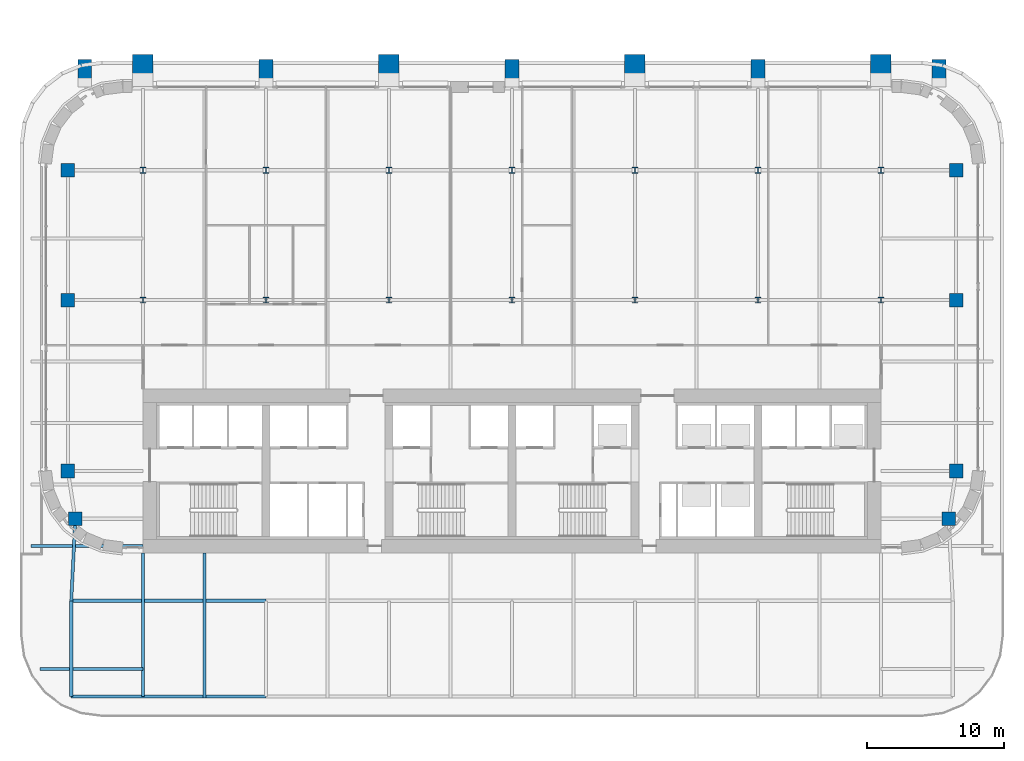
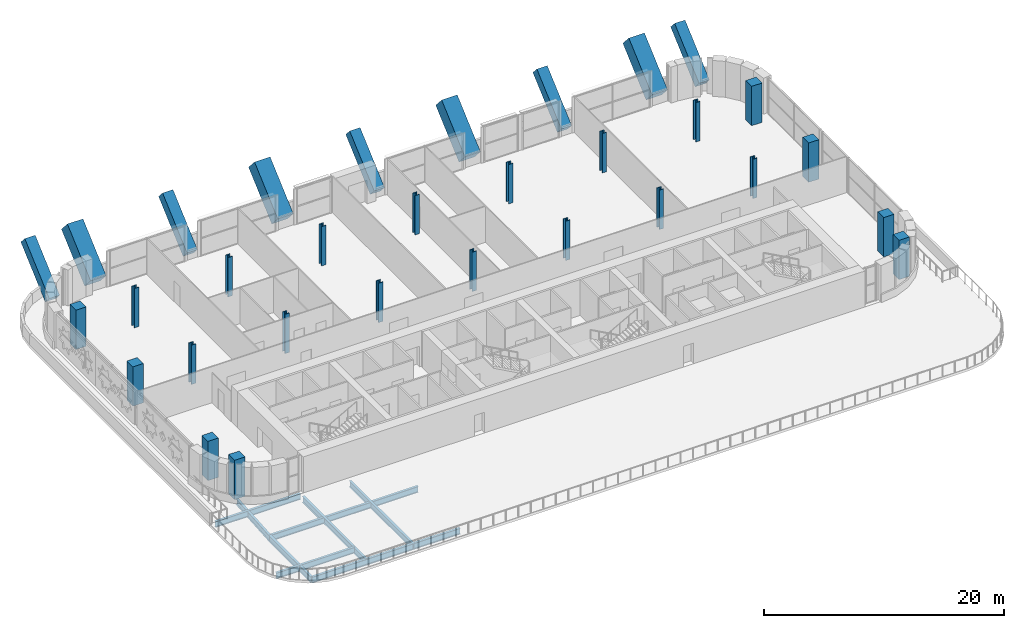
# One storey, part 1 of 26: 31 columns, 8 beams.
"""IFC4 building model written with IfcOpenShell, lengths in metres."""

import ifcopenshell
import ifcopenshell.guid

model = None  # the IFC model being written
_history = None  # IfcOwnerHistory: only IFC2X3 demands one
_inside = {}  # id of a spatial element -> (the spatial element, [elements in it])
_under = {}  # id of a project, library or spatial element -> (it, [spatial elements below it])
_declared = {}  # id of a project -> (the project, [libraries it declares])
_typed = {}  # id of a type object -> (the type object, [elements of that type])
_made_of = {}  # id of a material, layer set ... -> (it, [elements and type objects made of it])


def new_model(schema):
    """Start an empty IFC model of exactly this schema.

    Asked for "IFC4X3", IfcOpenShell would pick the latest addendum, in which some entities
    have other attributes; the version numbers below select the first issue.
    IFC2X3 requires an IfcOwnerHistory on every rooted entity: one is made here for all.
    """
    global model, _history
    if schema == "IFC4X3":
        model = ifcopenshell.file(schema_version=(4, 3, 0, 0))
    else:
        model = ifcopenshell.file(schema=schema)
    _inside.clear()
    _under.clear()
    _declared.clear()
    _typed.clear()
    _made_of.clear()
    _history = None
    if model.schema == "IFC2X3":
        org = make("IfcOrganization", Name="unknown")
        user = make(
            "IfcPersonAndOrganization",
            ThePerson=make("IfcPerson", FamilyName="unknown"),
            TheOrganization=org,
        )
        app = make(
            "IfcApplication",
            ApplicationDeveloper=org,
            Version="unknown",
            ApplicationFullName="unknown",
            ApplicationIdentifier="unknown",
        )
        _history = make(
            "IfcOwnerHistory",
            OwningUser=user,
            OwningApplication=app,
            ChangeAction="ADDED",
            CreationDate=0,
        )
    return model


def make(cls, **values):
    """One entity of the class cls with the attributes given. An attribute that is None is left unset."""
    return model.create_entity(
        cls, **{name: value for name, value in values.items() if value is not None}
    )


def rooted(cls, **values):
    """An entity with a GlobalId (a new one), such as an element, a storey or a relation."""
    return make(cls, GlobalId=ifcopenshell.guid.new(), OwnerHistory=_history, **values)


def si_unit(unit_type, name, prefix=None):
    """IfcSIUnit, for example si_unit("LENGTHUNIT", "METRE", prefix="MILLI")."""
    return make("IfcSIUnit", UnitType=unit_type, Prefix=prefix, Name=name)


def assignment(units):
    """IfcUnitAssignment: the units of a project."""
    return None if units is None else make("IfcUnitAssignment", Units=units)


def point(xyz):
    """IfcCartesianPoint."""
    return None if xyz is None else make("IfcCartesianPoint", Coordinates=xyz)


def direction(xyz):
    """IfcDirection."""
    return None if xyz is None else make("IfcDirection", DirectionRatios=xyz)


def frame(location, z_axis=None, x_axis=None):
    """IfcAxis2Placement3D, a coordinate frame: its origin and axes. An axis left out is left unset."""
    return make(
        "IfcAxis2Placement3D",
        Location=point(location),
        Axis=direction(z_axis),
        RefDirection=direction(x_axis),
    )


def frame_2d(location, x_axis=None):
    """IfcAxis2Placement2D, a coordinate frame in the plane: its origin and x axis."""
    return make(
        "IfcAxis2Placement2D", Location=point(location), RefDirection=direction(x_axis)
    )


def origin():
    """The frame at (0, 0, 0) with its axes left unset."""
    return frame((0.0, 0.0, 0.0))


def origin_2d():
    """The frame at (0, 0) in the plane with its x axis left unset."""
    return frame_2d((0.0, 0.0))


def place(relative_to, where):
    """IfcLocalPlacement: puts the frame where relative to a parent placement (None: the world)."""
    return make(
        "IfcLocalPlacement", PlacementRelTo=relative_to, RelativePlacement=where
    )


def context(
    kind, dimensions, precision=None, world=None, true_north=None, identifier=None
):
    """IfcGeometricRepresentationContext, for example the 3D "Model" context."""
    return make(
        "IfcGeometricRepresentationContext",
        ContextIdentifier=identifier,
        ContextType=kind,
        CoordinateSpaceDimension=dimensions,
        Precision=precision,
        WorldCoordinateSystem=world,
        TrueNorth=true_north,
    )


def subcontext(parent, identifier, kind, view, scale=None):
    """IfcGeometricRepresentationSubContext, for example "Body" below "Model"."""
    return make(
        "IfcGeometricRepresentationSubContext",
        ContextIdentifier=identifier,
        ContextType=kind,
        ParentContext=parent,
        TargetScale=scale,
        TargetView=view,
    )


def project(units=None, contexts=None):
    """IfcProject with its units and contexts."""
    return rooted(
        "IfcProject",
        Name="project",
        RepresentationContexts=contexts,
        UnitsInContext=assignment(units),
    )


def spatial(cls, under=None, at=None, **own):
    """A site, building, storey or space (cls), placed at a placement, below another one or the project."""
    s = rooted(cls, ObjectPlacement=at, **own)
    if under is not None:
        _under.setdefault(under.id(), (under, []))[1].append(s)
    return s


def profile(cls, at=None, kind="AREA", **sizes):
    """A parametric profile (cls). Its sizes go by their IFC names, for example OverallWidth=200.0."""
    return make(cls, ProfileType=kind, Position=at, **sizes)


def rectangle(**sizes):
    """IfcRectangleProfileDef."""
    return profile("IfcRectangleProfileDef", **sizes)


def i_section(**sizes):
    """IfcIShapeProfileDef."""
    return profile("IfcIShapeProfileDef", **sizes)


def extrude(swept, where, along, depth):
    """IfcExtrudedAreaSolid: the profile swept, set in the frame where, extruded along a direction by depth."""
    return make(
        "IfcExtrudedAreaSolid",
        SweptArea=swept,
        Position=where,
        ExtrudedDirection=direction(along),
        Depth=depth,
    )


def clip(a, b, op="DIFFERENCE"):
    """IfcBooleanClippingResult: the solid a cut by the half space b."""
    return make(
        "IfcBooleanClippingResult", Operator=op, FirstOperand=a, SecondOperand=b
    )


def halfspace(plane, agree):
    """IfcHalfSpaceSolid: all space on one side of the plane z = 0 of the frame plane."""
    return make(
        "IfcHalfSpaceSolid",
        BaseSurface=make("IfcPlane", Position=plane),
        AgreementFlag=agree,
    )


def shape(context_of_items, identifier, shape_type, items):
    """IfcShapeRepresentation: the items that make up one representation, for example the "Body"."""
    return make(
        "IfcShapeRepresentation",
        ContextOfItems=context_of_items,
        RepresentationIdentifier=identifier,
        RepresentationType=shape_type,
        Items=items,
    )


def material(Name=None, Category=None):
    """IfcMaterial."""
    return make("IfcMaterial", Name=Name, Category=Category)


def material_profile(
    of_material, cross_section, Name=None, Category=None, Priority=None
):
    """IfcMaterialProfile: a cross section and its material."""
    return make(
        "IfcMaterialProfile",
        Name=Name,
        Material=of_material,
        Profile=cross_section,
        Priority=Priority,
        Category=Category,
    )


def profile_set(profiles, Name=None, composite=None):
    """IfcMaterialProfileSet."""
    return make(
        "IfcMaterialProfileSet",
        Name=Name,
        MaterialProfiles=profiles,
        CompositeProfile=composite,
    )


def made_of(thing, what):
    """Note that an element or type object is made of a material, layer set ...; save() writes the relation."""
    if what is not None:
        _made_of.setdefault(what.id(), (what, []))[1].append(thing)
    return thing


def type_object(cls, material=None, **own):
    """A type object (cls), such as IfcWallType, which elements share."""
    return made_of(rooted(cls, **own), material)


def element(
    cls,
    number,
    at=None,
    inside=None,
    cuts=None,
    type_object=None,
    material=None,
    context=None,
    identifier="Body",
    shape_type=None,
    held_by="IfcProductDefinitionShape",
    body=None,
    shapes=None,
    **own,
):
    """One element of the class cls, such as IfcWall. Its Tag is "e" and its number.

    at: its placement. inside: the storey or other place that contains it. cuts: it is an
    opening in that element (IfcRelVoidsElement). A single representation is given by context,
    identifier, shape_type and body (its items); several are given by shapes. held_by: the class
    of the entity that holds the representations. save() writes the other relations.
    """
    e = rooted(cls, Tag="e%d" % number, ObjectPlacement=at, **own)
    if body is not None:
        shapes = [shape(context, identifier, shape_type, body)]
    if shapes is not None:
        e.Representation = make(held_by, Representations=shapes)
    if inside is not None:
        _inside.setdefault(inside.id(), (inside, []))[1].append(e)
    if cuts is not None:
        rooted(
            "IfcRelVoidsElement", RelatingBuildingElement=cuts, RelatedOpeningElement=e
        )
    if type_object is not None:
        _typed.setdefault(type_object.id(), (type_object, []))[1].append(e)
    return made_of(e, material)


def aggregate(whole, parts):
    """IfcRelAggregates: a whole, such as a stair, and the parts it consists of."""
    return rooted("IfcRelAggregates", RelatingObject=whole, RelatedObjects=parts)


def save(model, path):
    """Write the relations noted so far, then the file.

    IfcRelAggregates (storeys below a building ...), IfcRelContainedInSpatialStructure (elements
    in a storey), IfcRelDefinesByType, IfcRelAssociatesMaterial and IfcRelDeclares: one each for
    every whole, place, type object, material and project.
    """
    for whole, parts in _under.values():
        aggregate(whole, parts)
    for where, things in _inside.values():
        rooted(
            "IfcRelContainedInSpatialStructure",
            RelatedElements=things,
            RelatingStructure=where,
        )
    for kind, things in _typed.values():
        rooted("IfcRelDefinesByType", RelatedObjects=things, RelatingType=kind)
    for what, things in _made_of.values():
        rooted("IfcRelAssociatesMaterial", RelatedObjects=things, RelatingMaterial=what)
    for by, libraries in _declared.values():
        rooted("IfcRelDeclares", RelatingContext=by, RelatedDefinitions=libraries)
    model.write(path)


model = new_model("IFC4")

# Units and contexts
model_context = context("Model", 3, precision=1e-05, world=origin(), true_north=direction((0.0, 1.0)))
body_context = subcontext(model_context, "Body", "Model", "MODEL_VIEW")
ifc_project = project(units=[si_unit("LENGTHUNIT", "METRE"), si_unit("AREAUNIT", "SQUARE_METRE"), si_unit("VOLUMEUNIT", "CUBIC_METRE"), si_unit("PLANEANGLEUNIT", "RADIAN"), si_unit("MASSUNIT", "GRAM", prefix="KILO")], contexts=[model_context])

# Site, building, storey
site_placement = place(None, origin())
site = spatial("IfcSite", under=ifc_project, at=site_placement, CompositionType="ELEMENT")
building_placement = place(site_placement, origin())
building = spatial("IfcBuilding", under=site, at=building_placement, Name="Zellij Exchange Tower", CompositionType="ELEMENT")
storey_placement = place(building_placement, frame((0.0, 0.0, 156.5)))
storey = spatial("IfcBuildingStorey", under=building, at=storey_placement, Name="L35", CompositionType="ELEMENT", Elevation=156.5)

# Columns
ifc_material_1 = material(Name="Concrete C60/75", Category="concrete")
ifc_material_profile_1 = material_profile(ifc_material_1, rectangle(XDim=1.0, YDim=1.0, at=origin_2d()), Name="STR-COLUMN RC1000x1000 C60/75")
ifc_profile_set_1 = profile_set([ifc_material_profile_1], Name="Concrete C60/75")
column_type_1 = type_object("IfcColumnType", Name="STR-COLUMN RC1000x1000 C60/75", PredefinedType="COLUMN", material=ifc_profile_set_1)
for number, where, z_axis, x_axis, name in (
    (1, (-31.949951171875, -11.5, 0.0), (0.0, 0.0, 1.0), (1.0, 0.0, 0.0), "C9"),
    (2, (31.949951171875, -11.5, 0.0), (0.0, 0.0, 1.0), (1.0, 0.0, 0.0), "C9"),
    (3, (-32.5, -8.0, 0.0), (0.0, 0.0, 1.0), (1.0, 0.0, 0.0), "C9"),
    (4, (32.5, -8.0, 0.0), (0.0, 0.0, 1.0), (1.0, 0.0, 0.0), "C9"),
    (5, (-32.5, 4.5, 0.0), (0.0, 0.0, 1.0), (1.0, 0.0, 0.0), "C9"),
    (6, (32.5, 4.5, 0.0), (0.0, 0.0, 1.0), (1.0, 0.0, 0.0), "C9"),
    (7, (-32.5, 14.0, 0.0), (0.0, 0.0, 1.0), (1.0, 0.0, 0.0), "C9"),
    (8, (32.5, 14.0, 0.0), (0.0, 0.0, 1.0), (1.0, 0.0, 0.0), "C9"),
):
    element("IfcColumn", number, at=place(storey_placement, frame(where, z_axis=z_axis, x_axis=x_axis)), inside=storey, type_object=column_type_1, Name=name, PredefinedType="COLUMN", context=body_context, shape_type="SweptSolid", body=[
        extrude(rectangle(XDim=1.0, YDim=1.0, at=origin_2d()), origin(), (0.0, 0.0, 1.0), 4.0),
    ])
for number, where, z_axis, x_axis, name in (
    (9, (-31.25, 20.0, 0.0), (0.0, 0.747409318684, 0.66436383883), (-1.0, 0.0, 0.0), "C9"),
    (10, (-18.0, 20.0, 0.0), (0.0, 0.747409318684, 0.66436383883), (-1.0, 0.0, 0.0), "C9"),
    (11, (0.0, 20.0, 0.0), (0.0, 0.747409318684, 0.66436383883), (-1.0, 0.0, 0.0), "C9"),
    (12, (18.0, 20.0, 0.0), (0.0, 0.747409318684, 0.66436383883), (-1.0, 0.0, 0.0), "C9"),
    (13, (31.25, 20.0, 0.0), (0.0, 0.747409318684, 0.66436383883), (-1.0, 0.0, 0.0), "C9"),
):
    element("IfcColumn", number, at=place(storey_placement, frame(where, z_axis=z_axis, x_axis=x_axis)), inside=storey, type_object=column_type_1, Name=name, PredefinedType="COLUMN", context=body_context, shape_type="Clipping", body=[
        clip(extrude(rectangle(XDim=1.0, YDim=1.0, at=origin_2d()), origin(), (0.0, 0.0, 1.0), 6.020751953125), halfspace(frame((0.0, 0.0, 0.5625)), True)),
    ])
ifc_material_2 = material(Name="Structural steel ASTM A913 Gr 65", Category="steel")
ifc_material_profile_2 = material_profile(ifc_material_2, i_section(OverallWidth=0.419189453125, OverallDepth=0.45458984375, WebThickness=0.042236328125, FlangeThickness=0.067626953125, at=origin_2d()), Name="W14x370")
ifc_profile_set_2 = profile_set([ifc_material_profile_2], Name="Structural steel ASTM A913 Gr 65")
column_type_2 = type_object("IfcColumnType", Name="STR-COLUMN W14x370", PredefinedType="COLUMN", material=ifc_profile_set_2)
for number, where, z_axis, x_axis, name in (
    (14, (-27.0, 4.5, 0.0), (0.0, 0.0, 1.0), (1.0, 0.0, 0.0), "C4"),
    (15, (-18.0, 4.5, 0.0), (0.0, 0.0, 1.0), (1.0, 0.0, 0.0), "C4"),
    (16, (-9.0, 4.5, 0.0), (0.0, 0.0, 1.0), (1.0, 0.0, 0.0), "C4"),
    (17, (0.0, 4.5, 0.0), (0.0, 0.0, 1.0), (1.0, 0.0, 0.0), "C4"),
    (18, (9.0, 4.5, 0.0), (0.0, 0.0, 1.0), (1.0, 0.0, 0.0), "C4"),
    (19, (18.0, 4.5, 0.0), (0.0, 0.0, 1.0), (1.0, 0.0, 0.0), "C4"),
    (20, (27.0, 4.5, 0.0), (0.0, 0.0, 1.0), (1.0, 0.0, 0.0), "C4"),
    (21, (-27.0, 14.0, 0.0), (0.0, 0.0, 1.0), (1.0, 0.0, 0.0), "C4"),
    (22, (-18.0, 14.0, 0.0), (0.0, 0.0, 1.0), (1.0, 0.0, 0.0), "C4"),
    (23, (-9.0, 14.0, 0.0), (0.0, 0.0, 1.0), (1.0, 0.0, 0.0), "C4"),
    (24, (0.0, 14.0, 0.0), (0.0, 0.0, 1.0), (1.0, 0.0, 0.0), "C4"),
    (25, (9.0, 14.0, 0.0), (0.0, 0.0, 1.0), (1.0, 0.0, 0.0), "C4"),
    (26, (18.0, 14.0, 0.0), (0.0, 0.0, 1.0), (1.0, 0.0, 0.0), "C4"),
    (27, (27.0, 14.0, 0.0), (0.0, 0.0, 1.0), (1.0, 0.0, 0.0), "C4"),
):
    element("IfcColumn", number, at=place(storey_placement, frame(where, z_axis=z_axis, x_axis=x_axis)), inside=storey, type_object=column_type_2, Name=name, PredefinedType="COLUMN", context=body_context, shape_type="SweptSolid", body=[
        extrude(i_section(OverallWidth=0.419189453125, OverallDepth=0.45458984375, WebThickness=0.042236328125, FlangeThickness=0.067626953125, at=origin_2d()), origin(), (0.0, 0.0, 1.0), 4.0),
    ])
ifc_material_profile_3 = material_profile(ifc_material_1, rectangle(XDim=1.5, YDim=1.5, at=origin_2d()), Name="STR-MEGA COLUMN RC1500x1500 C60/75")
ifc_profile_set_3 = profile_set([ifc_material_profile_3], Name="Concrete C60/75")
column_type_3 = type_object("IfcColumnType", Name="STR-MEGA COLUMN RC1500x1500 C60/75", PredefinedType="COLUMN", material=ifc_profile_set_3)
for number, where, z_axis, x_axis, name in (
    (28, (-27.0, 20.0, 0.0), (0.0, 0.747409318684, 0.66436383883), (-1.0, 0.0, 0.0), "MC4"),
    (29, (-9.0, 20.0, 0.0), (0.0, 0.747409318684, 0.66436383883), (-1.0, 0.0, 0.0), "MC4"),
    (30, (9.0, 20.0, 0.0), (0.0, 0.747409318684, 0.66436383883), (-1.0, 0.0, 0.0), "MC4"),
    (31, (27.0, 20.0, 0.0), (0.0, 0.747409318684, 0.66436383883), (-1.0, 0.0, 0.0), "MC4"),
):
    element("IfcColumn", number, at=place(storey_placement, frame(where, z_axis=z_axis, x_axis=x_axis)), inside=storey, type_object=column_type_3, Name=name, PredefinedType="COLUMN", context=body_context, shape_type="Clipping", body=[
        clip(extrude(rectangle(XDim=1.5, YDim=1.5, at=origin_2d()), origin(), (0.0, 0.0, 1.0), 6.020751953125), halfspace(frame((0.0, 0.0, 0.84375)), True)),
    ])

# Beams
ifc_material_3 = material(Name="Structural steel ASTM A992 Gr 50", Category="steel")
ifc_material_profile_4 = material_profile(ifc_material_3, i_section(OverallWidth=0.227783203125, OverallDepth=0.60205078125, WebThickness=0.010498046875, FlangeThickness=0.014892578125, at=origin_2d()), Name="W24x68")
ifc_profile_set_4 = profile_set([ifc_material_profile_4], Name="Structural steel ASTM A992 Gr 50")
beam_type_1 = type_object("IfcBeamType", Name="STR-BEAM W24x68", PredefinedType="BEAM", material=ifc_profile_set_4)
beam_1_placement = place(storey_placement, frame((-22.5, -24.614501953125, -0.60107421875), z_axis=(0.0, 1.0, 0.0), x_axis=(-1.0, 0.0, 0.0)))
element("IfcBeam", 32, at=beam_1_placement, inside=storey, type_object=beam_type_1, Name="B5", PredefinedType="BEAM", context=body_context, shape_type="SweptSolid", body=[
    extrude(i_section(OverallWidth=0.227783203125, OverallDepth=0.60205078125, WebThickness=0.010498046875, FlangeThickness=0.014892578125, at=origin_2d()), origin(), (0.0, 0.0, 1.0), 10.614501953125),
])
beam_2_placement = place(storey_placement, frame((-34.537109375, -22.5, -0.60107421875), z_axis=(1.0, 0.0, 0.0), x_axis=(0.0, 1.0, 0.0)))
element("IfcBeam", 33, at=beam_2_placement, inside=storey, type_object=beam_type_1, Name="B5", PredefinedType="BEAM", context=body_context, shape_type="SweptSolid", body=[
    extrude(i_section(OverallWidth=0.227783203125, OverallDepth=0.60205078125, WebThickness=0.010498046875, FlangeThickness=0.014892578125, at=origin_2d()), origin(), (0.0, 0.0, 1.0), 7.537109375),
])
beam_3_placement = place(storey_placement, frame((-35.199951171875, -13.5, -0.60107421875), z_axis=(1.0, 0.0, 0.0), x_axis=(0.0, 1.0, 0.0)))
element("IfcBeam", 34, at=beam_3_placement, inside=storey, type_object=beam_type_1, Name="B5", PredefinedType="BEAM", context=body_context, shape_type="SweptSolid", body=[
    extrude(i_section(OverallWidth=0.227783203125, OverallDepth=0.60205078125, WebThickness=0.010498046875, FlangeThickness=0.014892578125, at=origin_2d()), origin(), (0.0, 0.0, 1.0), 8.199951171875),
])
ifc_material_profile_5 = material_profile(ifc_material_3, i_section(OverallWidth=0.22900390625, OverallDepth=0.612060546875, WebThickness=0.011962890625, FlangeThickness=0.01953125, at=origin_2d()), Name="W24x84")
ifc_profile_set_5 = profile_set([ifc_material_profile_5], Name="Structural steel ASTM A992 Gr 50")
beam_type_2 = type_object("IfcBeamType", Name="STR-EDGE GIRDER W24x84", PredefinedType="BEAM", material=ifc_profile_set_5)
beam_4_placement = place(storey_placement, frame((-32.25, -24.5, -0.606201171875), z_axis=(0.0, 1.0, 0.0), x_axis=(-1.0, 0.0, 0.0)))
element("IfcBeam", 35, at=beam_4_placement, inside=storey, type_object=beam_type_2, Name="EB6", PredefinedType="BEAM", context=body_context, shape_type="SweptSolid", body=[
    extrude(i_section(OverallWidth=0.22900390625, OverallDepth=0.612060546875, WebThickness=0.011962890625, FlangeThickness=0.01953125, at=origin_2d()), origin(), (0.0, 0.0, 1.0), 7.0),
])
beam_5_placement = place(storey_placement, frame((-32.25, -17.5, -0.606201171875), z_axis=(0.049945724537, 0.998751933465, 0.0), x_axis=(-0.998751933465, 0.049945724537, 0.0)))
element("IfcBeam", 36, at=beam_5_placement, inside=storey, type_object=beam_type_2, Name="EB6", PredefinedType="BEAM", context=body_context, shape_type="SweptSolid", body=[
    extrude(i_section(OverallWidth=0.22900390625, OverallDepth=0.612060546875, WebThickness=0.011962890625, FlangeThickness=0.01953125, at=origin_2d()), origin(), (0.0, 0.0, 1.0), 6.007568359375),
])
ifc_material_profile_6 = material_profile(ifc_material_3, i_section(OverallWidth=0.22900390625, OverallDepth=0.612060546875, WebThickness=0.011962890625, FlangeThickness=0.01953125, at=origin_2d()), Name="W24x84")
ifc_profile_set_6 = profile_set([ifc_material_profile_6], Name="Structural steel ASTM A992 Gr 50")
beam_type_3 = type_object("IfcBeamType", Name="STR-GIRDER W24x84", PredefinedType="BEAM", material=ifc_profile_set_6)
for number, where, z_axis, x_axis, name in (
    (37, (-32.25, -24.5, -0.606201171875), (1.0, 0.0, 0.0), (0.0, 1.0, 0.0), "G4"),
    (38, (-32.25, -17.5, -0.606201171875), (1.0, 0.0, 0.0), (0.0, 1.0, 0.0), "G4"),
):
    element("IfcBeam", number, at=place(storey_placement, frame(where, z_axis=z_axis, x_axis=x_axis)), inside=storey, type_object=beam_type_3, Name=name, PredefinedType="BEAM", context=body_context, shape_type="SweptSolid", body=[
        extrude(i_section(OverallWidth=0.22900390625, OverallDepth=0.612060546875, WebThickness=0.011962890625, FlangeThickness=0.01953125, at=origin_2d()), origin(), (0.0, 0.0, 1.0), 14.25),
    ])
beam_6_placement = place(storey_placement, frame((-27.0, -24.5, -0.606201171875), z_axis=(0.0, 1.0, 0.0), x_axis=(-1.0, 0.0, 0.0)))
element("IfcBeam", 39, at=beam_6_placement, inside=storey, type_object=beam_type_3, Name="G4", PredefinedType="BEAM", context=body_context, shape_type="SweptSolid", body=[
    extrude(i_section(OverallWidth=0.22900390625, OverallDepth=0.612060546875, WebThickness=0.011962890625, FlangeThickness=0.01953125, at=origin_2d()), origin(), (0.0, 0.0, 1.0), 10.5),
])

save(model, "model.ifc")
